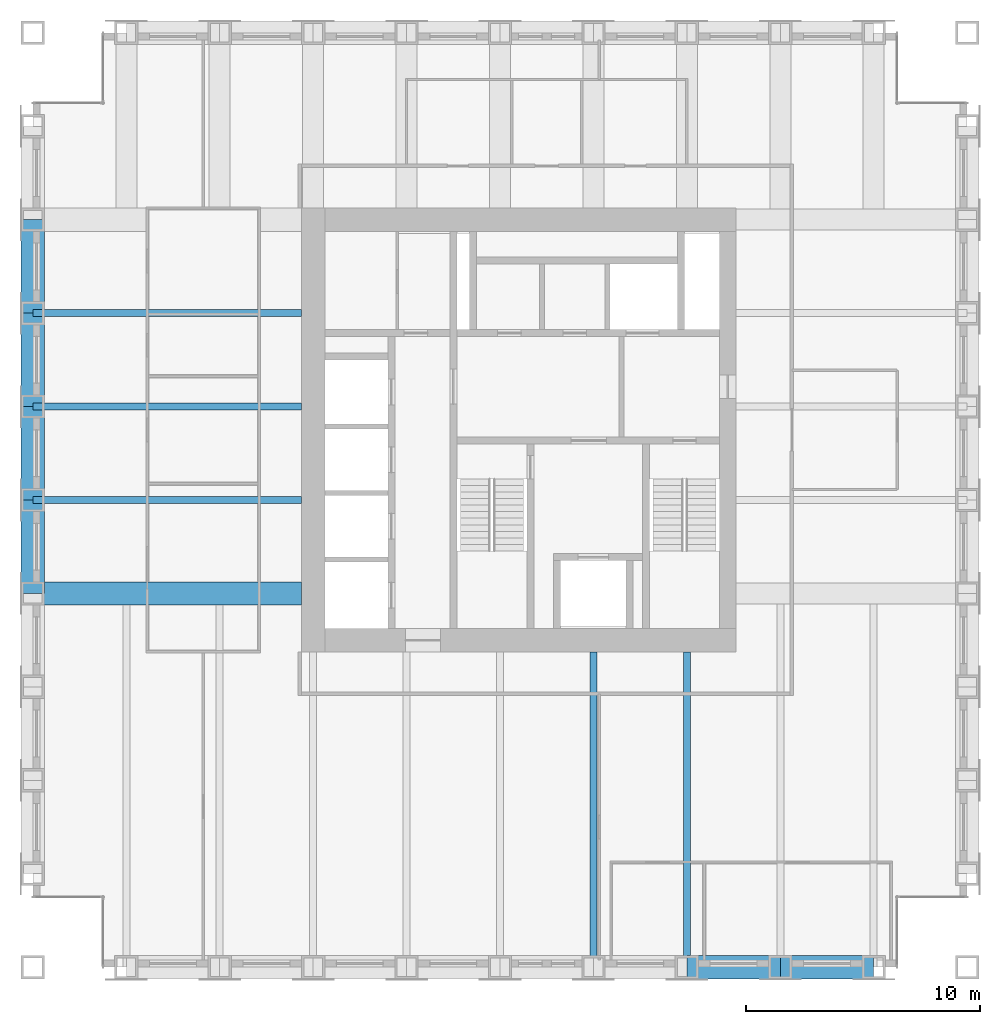
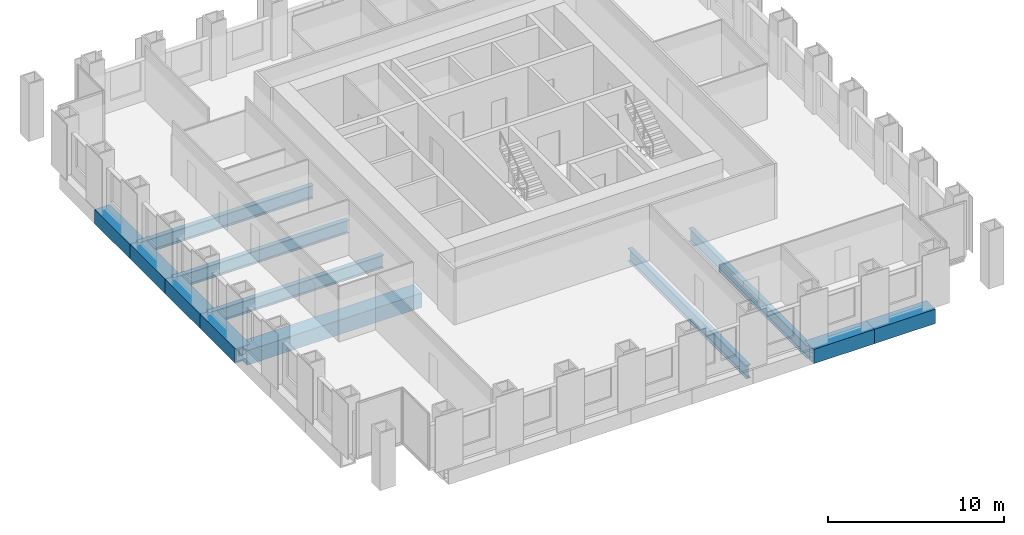
# One storey, part 3 of 11: 12 beams.
"""IFC4 building model written with IfcOpenShell, lengths in metres."""

import ifcopenshell
import ifcopenshell.guid

model = None  # the IFC model being written
_history = None  # IfcOwnerHistory: only IFC2X3 demands one
_inside = {}  # id of a spatial element -> (the spatial element, [elements in it])
_under = {}  # id of a project, library or spatial element -> (it, [spatial elements below it])
_declared = {}  # id of a project -> (the project, [libraries it declares])
_typed = {}  # id of a type object -> (the type object, [elements of that type])
_made_of = {}  # id of a material, layer set ... -> (it, [elements and type objects made of it])


def new_model(schema):
    """Start an empty IFC model of exactly this schema.

    Asked for "IFC4X3", IfcOpenShell would pick the latest addendum, in which some entities
    have other attributes; the version numbers below select the first issue.
    IFC2X3 requires an IfcOwnerHistory on every rooted entity: one is made here for all.
    """
    global model, _history
    if schema == "IFC4X3":
        model = ifcopenshell.file(schema_version=(4, 3, 0, 0))
    else:
        model = ifcopenshell.file(schema=schema)
    _inside.clear()
    _under.clear()
    _declared.clear()
    _typed.clear()
    _made_of.clear()
    _history = None
    if model.schema == "IFC2X3":
        org = make("IfcOrganization", Name="unknown")
        user = make(
            "IfcPersonAndOrganization",
            ThePerson=make("IfcPerson", FamilyName="unknown"),
            TheOrganization=org,
        )
        app = make(
            "IfcApplication",
            ApplicationDeveloper=org,
            Version="unknown",
            ApplicationFullName="unknown",
            ApplicationIdentifier="unknown",
        )
        _history = make(
            "IfcOwnerHistory",
            OwningUser=user,
            OwningApplication=app,
            ChangeAction="ADDED",
            CreationDate=0,
        )
    return model


def make(cls, **values):
    """One entity of the class cls with the attributes given. An attribute that is None is left unset."""
    return model.create_entity(
        cls, **{name: value for name, value in values.items() if value is not None}
    )


def rooted(cls, **values):
    """An entity with a GlobalId (a new one), such as an element, a storey or a relation."""
    return make(cls, GlobalId=ifcopenshell.guid.new(), OwnerHistory=_history, **values)


def si_unit(unit_type, name, prefix=None):
    """IfcSIUnit, for example si_unit("LENGTHUNIT", "METRE", prefix="MILLI")."""
    return make("IfcSIUnit", UnitType=unit_type, Prefix=prefix, Name=name)


def assignment(units):
    """IfcUnitAssignment: the units of a project."""
    return None if units is None else make("IfcUnitAssignment", Units=units)


def point(xyz):
    """IfcCartesianPoint."""
    return None if xyz is None else make("IfcCartesianPoint", Coordinates=xyz)


def direction(xyz):
    """IfcDirection."""
    return None if xyz is None else make("IfcDirection", DirectionRatios=xyz)


def frame(location, z_axis=None, x_axis=None):
    """IfcAxis2Placement3D, a coordinate frame: its origin and axes. An axis left out is left unset."""
    return make(
        "IfcAxis2Placement3D",
        Location=point(location),
        Axis=direction(z_axis),
        RefDirection=direction(x_axis),
    )


def frame_2d(location, x_axis=None):
    """IfcAxis2Placement2D, a coordinate frame in the plane: its origin and x axis."""
    return make(
        "IfcAxis2Placement2D", Location=point(location), RefDirection=direction(x_axis)
    )


def origin():
    """The frame at (0, 0, 0) with its axes left unset."""
    return frame((0.0, 0.0, 0.0))


def origin_2d():
    """The frame at (0, 0) in the plane with its x axis left unset."""
    return frame_2d((0.0, 0.0))


def place(relative_to, where):
    """IfcLocalPlacement: puts the frame where relative to a parent placement (None: the world)."""
    return make(
        "IfcLocalPlacement", PlacementRelTo=relative_to, RelativePlacement=where
    )


def context(
    kind, dimensions, precision=None, world=None, true_north=None, identifier=None
):
    """IfcGeometricRepresentationContext, for example the 3D "Model" context."""
    return make(
        "IfcGeometricRepresentationContext",
        ContextIdentifier=identifier,
        ContextType=kind,
        CoordinateSpaceDimension=dimensions,
        Precision=precision,
        WorldCoordinateSystem=world,
        TrueNorth=true_north,
    )


def subcontext(parent, identifier, kind, view, scale=None):
    """IfcGeometricRepresentationSubContext, for example "Body" below "Model"."""
    return make(
        "IfcGeometricRepresentationSubContext",
        ContextIdentifier=identifier,
        ContextType=kind,
        ParentContext=parent,
        TargetScale=scale,
        TargetView=view,
    )


def project(units=None, contexts=None):
    """IfcProject with its units and contexts."""
    return rooted(
        "IfcProject",
        Name="project",
        RepresentationContexts=contexts,
        UnitsInContext=assignment(units),
    )


def spatial(cls, under=None, at=None, **own):
    """A site, building, storey or space (cls), placed at a placement, below another one or the project."""
    s = rooted(cls, ObjectPlacement=at, **own)
    if under is not None:
        _under.setdefault(under.id(), (under, []))[1].append(s)
    return s


def profile(cls, at=None, kind="AREA", **sizes):
    """A parametric profile (cls). Its sizes go by their IFC names, for example OverallWidth=200.0."""
    return make(cls, ProfileType=kind, Position=at, **sizes)


def hollow_rectangle(**sizes):
    """IfcRectangleHollowProfileDef."""
    return profile("IfcRectangleHollowProfileDef", **sizes)


def i_section(**sizes):
    """IfcIShapeProfileDef."""
    return profile("IfcIShapeProfileDef", **sizes)


def extrude(swept, where, along, depth):
    """IfcExtrudedAreaSolid: the profile swept, set in the frame where, extruded along a direction by depth."""
    return make(
        "IfcExtrudedAreaSolid",
        SweptArea=swept,
        Position=where,
        ExtrudedDirection=direction(along),
        Depth=depth,
    )


def shape(context_of_items, identifier, shape_type, items):
    """IfcShapeRepresentation: the items that make up one representation, for example the "Body"."""
    return make(
        "IfcShapeRepresentation",
        ContextOfItems=context_of_items,
        RepresentationIdentifier=identifier,
        RepresentationType=shape_type,
        Items=items,
    )


def material(Name=None, Category=None):
    """IfcMaterial."""
    return make("IfcMaterial", Name=Name, Category=Category)


def material_profile(
    of_material, cross_section, Name=None, Category=None, Priority=None
):
    """IfcMaterialProfile: a cross section and its material."""
    return make(
        "IfcMaterialProfile",
        Name=Name,
        Material=of_material,
        Profile=cross_section,
        Priority=Priority,
        Category=Category,
    )


def profile_set(profiles, Name=None, composite=None):
    """IfcMaterialProfileSet."""
    return make(
        "IfcMaterialProfileSet",
        Name=Name,
        MaterialProfiles=profiles,
        CompositeProfile=composite,
    )


def made_of(thing, what):
    """Note that an element or type object is made of a material, layer set ...; save() writes the relation."""
    if what is not None:
        _made_of.setdefault(what.id(), (what, []))[1].append(thing)
    return thing


def type_object(cls, material=None, **own):
    """A type object (cls), such as IfcWallType, which elements share."""
    return made_of(rooted(cls, **own), material)


def element(
    cls,
    number,
    at=None,
    inside=None,
    cuts=None,
    type_object=None,
    material=None,
    context=None,
    identifier="Body",
    shape_type=None,
    held_by="IfcProductDefinitionShape",
    body=None,
    shapes=None,
    **own,
):
    """One element of the class cls, such as IfcWall. Its Tag is "e" and its number.

    at: its placement. inside: the storey or other place that contains it. cuts: it is an
    opening in that element (IfcRelVoidsElement). A single representation is given by context,
    identifier, shape_type and body (its items); several are given by shapes. held_by: the class
    of the entity that holds the representations. save() writes the other relations.
    """
    e = rooted(cls, Tag="e%d" % number, ObjectPlacement=at, **own)
    if body is not None:
        shapes = [shape(context, identifier, shape_type, body)]
    if shapes is not None:
        e.Representation = make(held_by, Representations=shapes)
    if inside is not None:
        _inside.setdefault(inside.id(), (inside, []))[1].append(e)
    if cuts is not None:
        rooted(
            "IfcRelVoidsElement", RelatingBuildingElement=cuts, RelatedOpeningElement=e
        )
    if type_object is not None:
        _typed.setdefault(type_object.id(), (type_object, []))[1].append(e)
    return made_of(e, material)


def aggregate(whole, parts):
    """IfcRelAggregates: a whole, such as a stair, and the parts it consists of."""
    return rooted("IfcRelAggregates", RelatingObject=whole, RelatedObjects=parts)


def save(model, path):
    """Write the relations noted so far, then the file.

    IfcRelAggregates (storeys below a building ...), IfcRelContainedInSpatialStructure (elements
    in a storey), IfcRelDefinesByType, IfcRelAssociatesMaterial and IfcRelDeclares: one each for
    every whole, place, type object, material and project.
    """
    for whole, parts in _under.values():
        aggregate(whole, parts)
    for where, things in _inside.values():
        rooted(
            "IfcRelContainedInSpatialStructure",
            RelatedElements=things,
            RelatingStructure=where,
        )
    for kind, things in _typed.values():
        rooted("IfcRelDefinesByType", RelatedObjects=things, RelatingType=kind)
    for what, things in _made_of.values():
        rooted("IfcRelAssociatesMaterial", RelatedObjects=things, RelatingMaterial=what)
    for by, libraries in _declared.values():
        rooted("IfcRelDeclares", RelatingContext=by, RelatedDefinitions=libraries)
    model.write(path)


model = new_model("IFC4")

# Units and contexts
model_context = context("Model", 3, precision=1e-05, world=origin(), true_north=direction((0.0, 1.0)))
body_context = subcontext(model_context, "Body", "Model", "MODEL_VIEW")
ifc_project = project(units=[si_unit("LENGTHUNIT", "METRE"), si_unit("AREAUNIT", "SQUARE_METRE"), si_unit("VOLUMEUNIT", "CUBIC_METRE"), si_unit("PLANEANGLEUNIT", "RADIAN"), si_unit("MASSUNIT", "GRAM", prefix="KILO")], contexts=[model_context])

# Site, building, storey
site_placement = place(None, origin())
site = spatial("IfcSite", under=ifc_project, at=site_placement, CompositionType="ELEMENT")
building_placement = place(site_placement, origin())
building = spatial("IfcBuilding", under=site, at=building_placement, Name="Rimbunsela Tower", CompositionType="ELEMENT")
storey_placement = place(building_placement, frame((0.0, 0.0, 278.199951171875)))
storey = spatial("IfcBuildingStorey", under=building, at=storey_placement, Name="L67", CompositionType="ELEMENT", Elevation=278.199951171875)

# Beams
ifc_material_1 = material(Name="Steel BJ 55 (fy 410 MPa)", Category="steel")
ifc_material_profile_1 = material_profile(ifc_material_1, hollow_rectangle(XDim=1.0, YDim=1.0, WallThickness=0.10009765625, at=origin_2d()), Name="BOX 1000x1000x100")
ifc_profile_set_1 = profile_set([ifc_material_profile_1], Name="Steel BJ 55 (fy 410 MPa)")
beam_type_1 = type_object("IfcBeamType", Name="Beam BOX 1000x1000x100", PredefinedType="BEAM", material=ifc_profile_set_1)
beam_1_placement = place(storey_placement, frame((6.0, 20.0, -0.64990234375), z_axis=(0.0, 1.0, 0.0), x_axis=(-1.0, 0.0, 0.0)))
element("IfcBeam", 1, at=beam_1_placement, inside=storey, type_object=beam_type_1, Name="Beam B3 L67", PredefinedType="BEAM", context=body_context, shape_type="SweptSolid", body=[
    extrude(hollow_rectangle(XDim=1.0, YDim=1.0, WallThickness=0.10009765625, at=origin_2d()), origin(), (0.0, 0.0, 1.0), 4.0),
])
beam_2_placement = place(storey_placement, frame((6.0, 20.0, -0.64990234375), z_axis=(1.0, 0.0, 0.0), x_axis=(0.0, 1.0, 0.0)))
element("IfcBeam", 2, at=beam_2_placement, inside=storey, type_object=beam_type_1, Name="Beam B3 L67", PredefinedType="BEAM", context=body_context, shape_type="SweptSolid", body=[
    extrude(hollow_rectangle(XDim=1.0, YDim=1.0, WallThickness=0.10009765625, at=origin_2d()), origin(), (0.0, 0.0, 1.0), 11.5),
])
for number, where, z_axis, x_axis, name in (
    (3, (6.0, 24.0, -0.64990234375), (0.0, 1.0, 0.0), (-1.0, 0.0, 0.0), "Beam B3 L67"),
    (4, (6.0, 28.0, -0.64990234375), (0.0, 1.0, 0.0), (-1.0, 0.0, 0.0), "Beam B3 L67"),
    (5, (6.0, 32.0, -0.64990234375), (0.0, 1.0, 0.0), (-1.0, 0.0, 0.0), "Beam B3 L67"),
    (6, (34.0, 4.0, -0.64990234375), (1.0, 0.0, 0.0), (0.0, 1.0, 0.0), "Beam B3 L67"),
    (7, (38.0, 4.0, -0.64990234375), (1.0, 0.0, 0.0), (0.0, 1.0, 0.0), "Beam B3 L67"),
):
    element("IfcBeam", number, at=place(storey_placement, frame(where, z_axis=z_axis, x_axis=x_axis)), inside=storey, type_object=beam_type_1, Name=name, PredefinedType="BEAM", context=body_context, shape_type="SweptSolid", body=[
        extrude(hollow_rectangle(XDim=1.0, YDim=1.0, WallThickness=0.10009765625, at=origin_2d()), origin(), (0.0, 0.0, 1.0), 4.0),
    ])
ifc_material_2 = material(Name="Steel BJ 55 (fy 410 MPa)", Category="steel")
ifc_material_profile_2 = material_profile(ifc_material_2, i_section(OverallWidth=0.300048828125, OverallDepth=0.89990234375, WebThickness=0.01611328125, FlangeThickness=0.028076171875, FilletRadius=0.028076171875, at=origin_2d()), Name="H 900x300x16x28")
ifc_profile_set_2 = profile_set([ifc_material_profile_2], Name="Steel BJ 55 (fy 410 MPa)")
beam_type_2 = type_object("IfcBeamType", Name="Beam H 900x300x16x28", PredefinedType="BEAM", material=ifc_profile_set_2)
for number, where, z_axis, x_axis, name in (
    (8, (6.0, 24.0, -0.599853515625), (1.0, 0.0, 0.0), (0.0, 1.0, 0.0), "Beam B2 L67"),
    (9, (6.0, 28.0, -0.599853515625), (1.0, 0.0, 0.0), (0.0, 1.0, 0.0), "Beam B2 L67"),
    (10, (6.0, 32.0, -0.599853515625), (1.0, 0.0, 0.0), (0.0, 1.0, 0.0), "Beam B2 L67"),
):
    element("IfcBeam", number, at=place(storey_placement, frame(where, z_axis=z_axis, x_axis=x_axis)), inside=storey, type_object=beam_type_2, Name=name, PredefinedType="BEAM", context=body_context, shape_type="SweptSolid", body=[
        extrude(i_section(OverallWidth=0.300048828125, OverallDepth=0.89990234375, WebThickness=0.01611328125, FlangeThickness=0.028076171875, FilletRadius=0.028076171875, at=origin_2d()), origin(), (0.0, 0.0, 1.0), 11.5),
    ])
for number, where, z_axis, x_axis, name in (
    (11, (30.0, 4.0, -0.599853515625), (0.0, 1.0, 0.0), (-1.0, 0.0, 0.0), "Beam B2 L67"),
    (12, (34.0, 4.0, -0.599853515625), (0.0, 1.0, 0.0), (-1.0, 0.0, 0.0), "Beam B2 L67"),
):
    element("IfcBeam", number, at=place(storey_placement, frame(where, z_axis=z_axis, x_axis=x_axis)), inside=storey, type_object=beam_type_2, Name=name, PredefinedType="BEAM", context=body_context, shape_type="SweptSolid", body=[
        extrude(i_section(OverallWidth=0.300048828125, OverallDepth=0.89990234375, WebThickness=0.01611328125, FlangeThickness=0.028076171875, FilletRadius=0.028076171875, at=origin_2d()), origin(), (0.0, 0.0, 1.0), 13.5),
    ])

save(model, "model.ifc")
